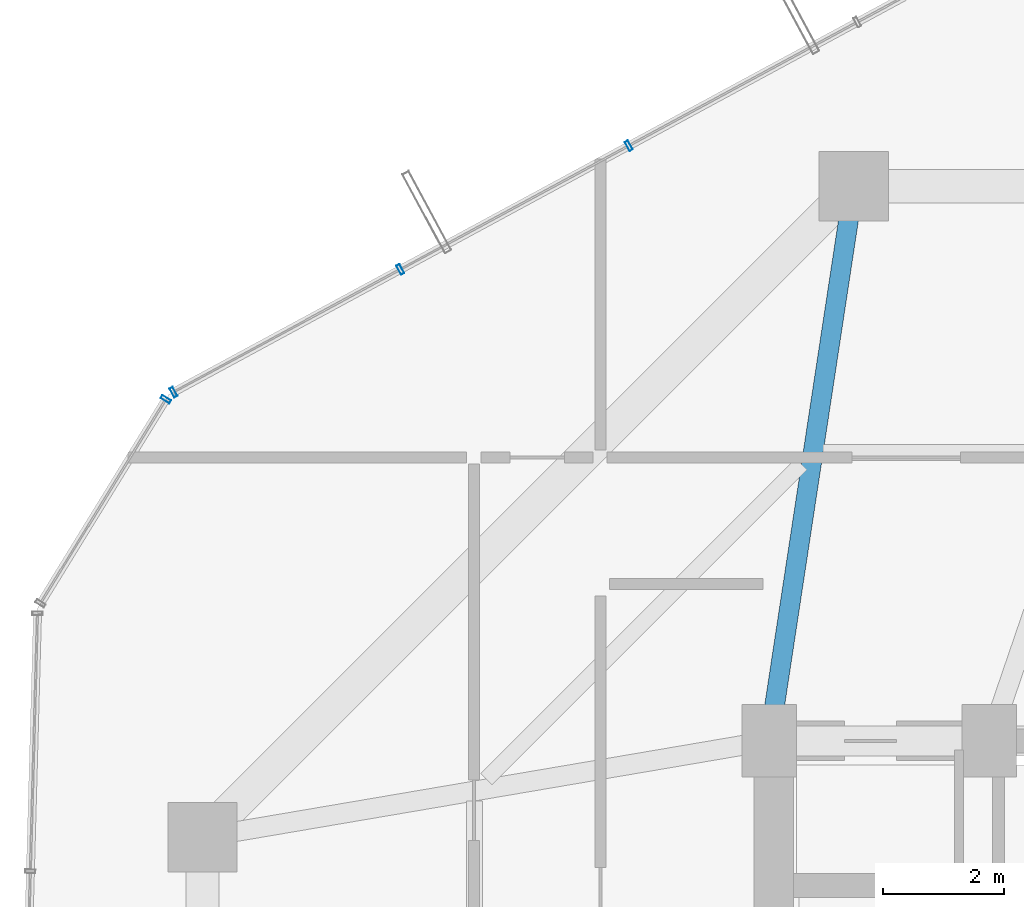
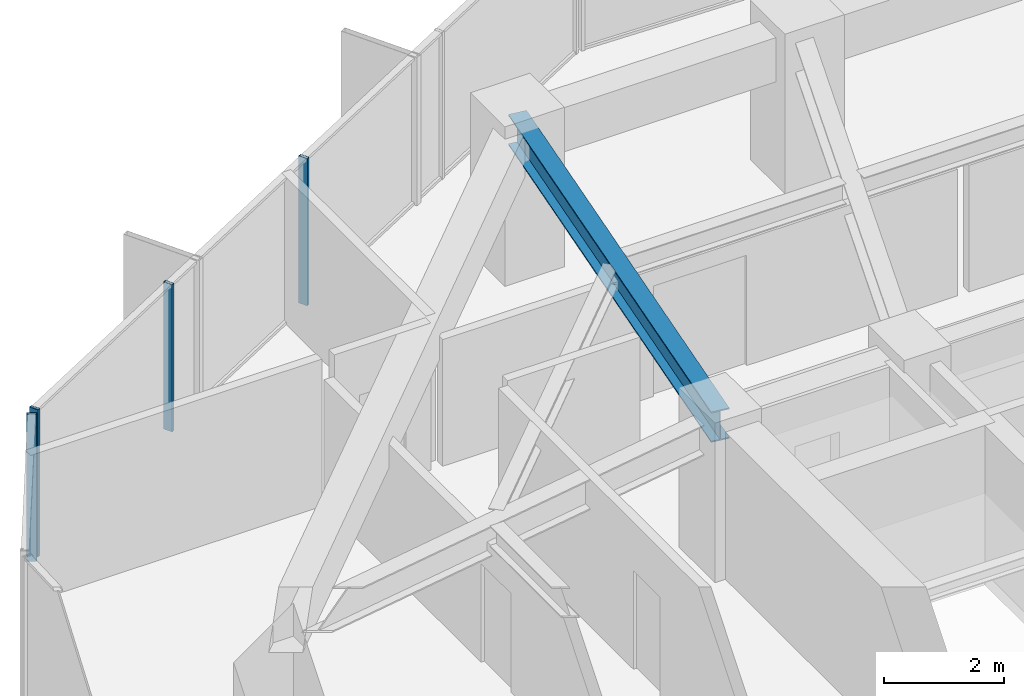
# One storey, part 17 of 30: 4 members, 1 beam, 2 elements without a shape of their own.
"""IFC4 building model written with IfcOpenShell, lengths in metres."""

from ifc_helpers import new_model, si_unit, direction, frame, origin, origin_2d, place, context, subcontext, project, spatial, hollow_rectangle, i_section, extrude, source, transform, mapped, material, layer, layer_set, material_profile, profile_set, type_object, element, aggregate, save


model = new_model("IFC4")

# Units and contexts
model_context = context("Model", 3, precision=1e-05, world=origin(), true_north=direction((0.0, 1.0)))
body_context = subcontext(model_context, "Body", "Model", "MODEL_VIEW")
ifc_project = project(units=[si_unit("LENGTHUNIT", "METRE"), si_unit("AREAUNIT", "SQUARE_METRE"), si_unit("VOLUMEUNIT", "CUBIC_METRE"), si_unit("PLANEANGLEUNIT", "RADIAN"), si_unit("MASSUNIT", "GRAM", prefix="KILO")], contexts=[model_context])

# Site, building, storey
site_placement = place(None, origin())
site = spatial("IfcSite", under=ifc_project, at=site_placement, CompositionType="ELEMENT")
building_placement = place(site_placement, origin())
building = spatial("IfcBuilding", under=site, at=building_placement, Name="Veraguas Prism Commons", CompositionType="ELEMENT")
storey_placement = place(building_placement, frame((0.0, 0.0, 123.0)))
storey = spatial("IfcBuildingStorey", under=building, at=storey_placement, Name="L34", CompositionType="ELEMENT", Elevation=123.0)

# Beam
ifc_material_1 = material(Name="Steel ASTM A992 Grade 50", Category="steel")
ifc_material_profile_1 = material_profile(ifc_material_1, i_section(OverallWidth=0.327880859375, OverallDepth=0.6220703125, WebThickness=0.015380859375, FlangeThickness=0.0244140625, at=origin_2d()), Name="W610X195")
ifc_profile_set_1 = profile_set([ifc_material_profile_1], Name="Steel ASTM A992 Grade 50")
beam_type = type_object("IfcBeamType", Name="Zone 2 Radial Girder W610x195", PredefinedType="BEAM", material=ifc_profile_set_1)
beam_placement = place(storey_placement, frame((18.60009765625, 40.199951171875, 2.68896484375), z_axis=(-0.150458162136, -0.98861637729, 0.0), x_axis=(0.98861637729, -0.150458162136, 0.0)))
element("IfcBeam", 1, at=beam_placement, inside=storey, type_object=beam_type, Name="Radial Floor Girder L34-RD06", PredefinedType="BEAM", context=body_context, shape_type="SweptSolid", body=[
    extrude(i_section(OverallWidth=0.327880859375, OverallDepth=0.6220703125, WebThickness=0.015380859375, FlangeThickness=0.0244140625, at=origin_2d()), origin(), (0.0, 0.0, 1.0), 9.305908203125),
])

# Curtain wall, members
ifc_material_2 = material(Name="Anodised aluminium EN AW-6063 T6", Category="aluminium")
ifc_layer = layer(ifc_material_2, 0.169921875, Name="Unitised Flush Curtain Wall Zone 2", Category="aluminium")
ifc_layer_set = layer_set([ifc_layer], Name="Anodised aluminium EN AW-6063 T6")
curtain_wall_type = type_object("IfcCurtainWallType", Name="Unitised Flush Curtain Wall Zone 2", PredefinedType="NOTDEFINED", material=ifc_layer_set)
curtain_wall_1_placement = place(storey_placement, origin())
curtain_wall_1 = element("IfcCurtainWall", 2, at=curtain_wall_1_placement, inside=storey, type_object=curtain_wall_type, Name="Tower Facade Curtain Wall L34-F2", PredefinedType="NOTDEFINED")
ifc_material_profile_2 = material_profile(ifc_material_2, hollow_rectangle(XDim=0.06005859375, YDim=0.169921875, WallThickness=0.00390625, at=origin_2d()), Name="AL60X170X4")
ifc_profile_set_2 = profile_set([ifc_material_profile_2], Name="Anodised aluminium EN AW-6063 T6")
member_type = type_object("IfcMemberType", Name="Curtain Wall Mullion Lower AL 60x170x4", PredefinedType="MULLION", material=ifc_profile_set_2)
shared_shape = source(origin(), body_context, "Body", "SweptSolid", [
    extrude(hollow_rectangle(XDim=0.06005859375, YDim=0.169921875, WallThickness=0.00390625, at=origin_2d()), origin(), (0.0, 0.0, 1.0), 3.0),
])
member_1_placement = place(storey_placement, frame((14.870361328125, 40.87060546875, 0.0), z_axis=(0.0, 0.0, 1.0), x_axis=(-0.879484156418, -0.475928165389, 0.0)))
member_1 = element("IfcMember", 3, at=member_1_placement, type_object=member_type, Name="CW-Z2 Mullion 3", PredefinedType="MULLION", context=body_context, shape_type="MappedRepresentation", body=[
    mapped(shared_shape, transform((0.0, 0.0, 0.0), scale=1.0)),
])
member_2_placement = place(storey_placement, frame((11.0810546875, 38.820068359375, 0.0), z_axis=(0.0, 0.0, 1.0), x_axis=(-0.879484156418, -0.475928165389, 0.0)))
member_2 = element("IfcMember", 4, at=member_2_placement, type_object=member_type, Name="CW-Z2 Mullion 4", PredefinedType="MULLION", context=body_context, shape_type="MappedRepresentation", body=[
    mapped(shared_shape, transform((0.0, 0.0, 0.0), scale=1.0)),
])
member_3_placement = place(storey_placement, frame((7.318115234375, 36.78369140625, 0.0), z_axis=(0.0, 0.0, 1.0), x_axis=(-0.879484156418, -0.475928165389, 0.0)))
member_3 = element("IfcMember", 5, at=member_3_placement, type_object=member_type, Name="CW-Z2 Mullion 5", PredefinedType="MULLION", context=body_context, shape_type="MappedRepresentation", body=[
    mapped(shared_shape, transform((0.0, 0.0, 0.0), scale=1.0)),
])
aggregate(curtain_wall_1, [member_1, member_2, member_3])

# Curtain wall, member
curtain_wall_2_placement = place(storey_placement, origin())
curtain_wall_2 = element("IfcCurtainWall", 6, at=curtain_wall_2_placement, inside=storey, type_object=curtain_wall_type, Name="Chamfer Curtain Wall L34-C3", PredefinedType="NOTDEFINED")
member_4_placement = place(storey_placement, frame((7.19189453125, 36.664306640625, 0.0), z_axis=(0.0, 0.0, 1.0), x_axis=(-0.52368410467, -0.85191252985, 0.0)))
member_4 = element("IfcMember", 7, at=member_4_placement, type_object=member_type, Name="CW-Z2 Mullion 1", PredefinedType="MULLION", context=body_context, shape_type="MappedRepresentation", body=[
    mapped(shared_shape, transform((0.0, 0.0, 0.0), scale=1.0)),
])
aggregate(curtain_wall_2, [member_4])

save(model, "model.ifc")
